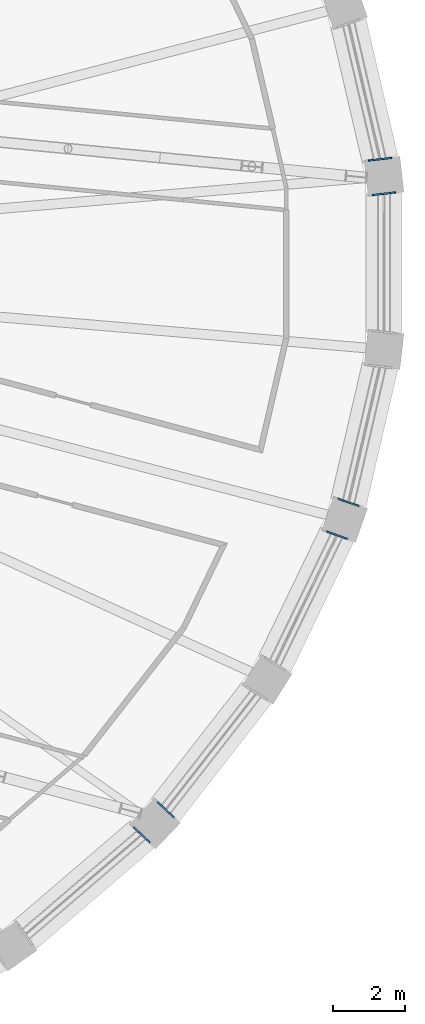
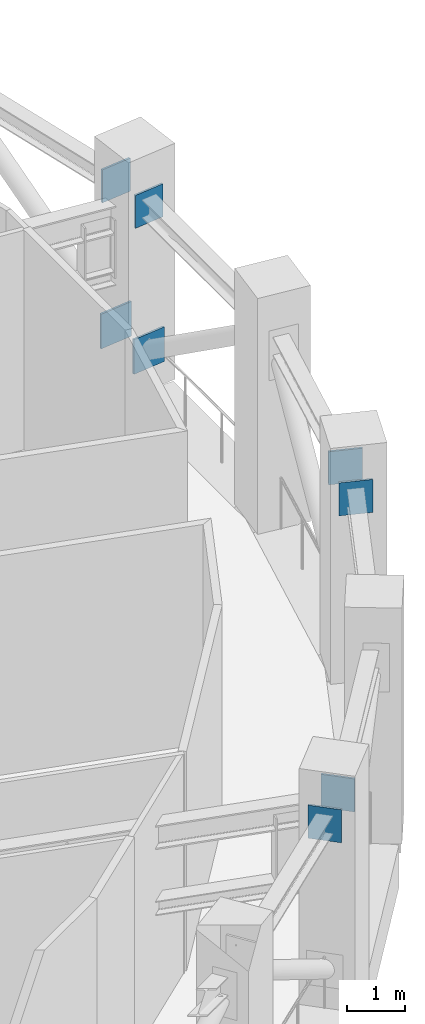
# One storey, part 16 of 20: 8 discrete accessories.
"""IFC4 building model written with IfcOpenShell, lengths in metres."""

from ifc_helpers import new_model, si_unit, direction, frame, origin, origin_2d, place, context, subcontext, project, spatial, rectangle, extrude, material, layer, layer_set, type_object, element, save


model = new_model("IFC4")

# Units and contexts
model_context = context("Model", 3, precision=1e-05, world=origin(), true_north=direction((0.0, 1.0)))
body_context = subcontext(model_context, "Body", "Model", "MODEL_VIEW")
ifc_project = project(units=[si_unit("LENGTHUNIT", "METRE"), si_unit("AREAUNIT", "SQUARE_METRE"), si_unit("VOLUMEUNIT", "CUBIC_METRE"), si_unit("PLANEANGLEUNIT", "RADIAN"), si_unit("MASSUNIT", "GRAM", prefix="KILO")], contexts=[model_context])

# Site, building, storey
site_placement = place(None, origin())
site = spatial("IfcSite", under=ifc_project, at=site_placement, CompositionType="ELEMENT")
building_placement = place(site_placement, origin())
building = spatial("IfcBuilding", under=site, at=building_placement, Name="Halqa Exchange Tower", CompositionType="ELEMENT")
storey_placement = place(building_placement, frame((0.0, 0.0, 328.300048828125)))
storey = spatial("IfcBuildingStorey", under=building, at=storey_placement, Name="L77", CompositionType="ELEMENT", Elevation=328.300048828125)

# Discrete accessories
ifc_material = material(Name="Steel S355", Category="steel")
ifc_layer = layer(ifc_material, 0.0400390625)
ifc_layer_set = layer_set([ifc_layer], Name="Steel S355")
discrete_accessory_type = type_object("IfcDiscreteAccessoryType", Name="Belt truss anchor plate 40", PredefinedType="ANCHORPLATE", material=ifc_layer_set)
discrete_accessory_1_placement = place(storey_placement, frame((28.256591796875, 2.84521484375, 3.89990234375), z_axis=(-0.109762219212, 0.993957873973, 0.0), x_axis=(-0.993957873973, -0.109762219212, 0.0)))
element("IfcDiscreteAccessory", 1, at=discrete_accessory_1_placement, inside=storey, type_object=discrete_accessory_type, Name="Belt truss anchor plate", PredefinedType="ANCHORPLATE", context=body_context, shape_type="SweptSolid", body=[
    extrude(rectangle(XDim=0.60009765625, YDim=0.699951171875, at=origin_2d()), origin(), (0.0, 0.0, 1.0), 0.0400390625),
])
discrete_accessory_2_placement = place(storey_placement, frame((28.361328125, 1.93115234375, 3.89990234375), z_axis=(0.116485527129, -0.993192389202, 0.0), x_axis=(0.993192389202, 0.116485527129, 0.0)))
element("IfcDiscreteAccessory", 2, at=discrete_accessory_2_placement, inside=storey, type_object=discrete_accessory_type, Name="Belt truss anchor plate", PredefinedType="ANCHORPLATE", context=body_context, shape_type="SweptSolid", body=[
    extrude(rectangle(XDim=0.60009765625, YDim=0.699951171875, at=origin_2d()), origin(), (0.0, 0.0, 1.0), 0.039794921875),
])
discrete_accessory_3_placement = place(storey_placement, frame((28.2568359375, 2.84521484375, 0.8349609375), z_axis=(-0.115780500934, 0.993274823804, 0.0), x_axis=(-0.993274823804, -0.115780500934, 0.0)))
element("IfcDiscreteAccessory", 3, at=discrete_accessory_3_placement, inside=storey, type_object=discrete_accessory_type, Name="Belt truss anchor plate", PredefinedType="ANCHORPLATE", context=body_context, shape_type="SweptSolid", body=[
    extrude(rectangle(XDim=0.656005859375, YDim=0.735107421875, at=origin_2d()), origin(), (0.0, 0.0, 1.0), 0.0400390625),
])
discrete_accessory_4_placement = place(storey_placement, frame((28.361328125, 1.93115234375, 0.83740234375), z_axis=(0.116485527129, -0.993192389202, 0.0), x_axis=(0.993192389202, 0.116485527129, 0.0)))
element("IfcDiscreteAccessory", 4, at=discrete_accessory_4_placement, inside=storey, type_object=discrete_accessory_type, Name="Belt truss anchor plate", PredefinedType="ANCHORPLATE", context=body_context, shape_type="SweptSolid", body=[
    extrude(rectangle(XDim=0.656005859375, YDim=0.736083984375, at=origin_2d()), origin(), (0.0, 0.0, 1.0), 0.039794921875),
])
for number, where, z_axis, x_axis, name in (
    (5, (22.314208984375, -15.131591796875, 3.89990234375), (0.691639439628, 0.722242954656, 0.0), (-0.722242954656, 0.691639439628, 0.0), "Belt truss anchor plate"),
    (6, (21.678955078125, -15.79736328125, 3.89990234375), (-0.691639439628, -0.722242954656, 0.0), (0.722242954656, -0.691639439628, 0.0), "Belt truss anchor plate"),
):
    element("IfcDiscreteAccessory", number, at=place(storey_placement, frame(where, z_axis=z_axis, x_axis=x_axis)), inside=storey, type_object=discrete_accessory_type, Name=name, PredefinedType="ANCHORPLATE", context=body_context, shape_type="SweptSolid", body=[
        extrude(rectangle(XDim=0.60009765625, YDim=0.699951171875, at=origin_2d()), origin(), (0.0, 0.0, 1.0), 0.039794921875),
    ])
for number, where, z_axis, x_axis, name in (
    (7, (27.376220703125, -6.639892578125, 3.89990234375), (0.328993186606, 0.944332294887, 0.0), (-0.944332294887, 0.328993186606, 0.0), "Belt truss anchor plate"),
    (8, (27.0703125, -7.50732421875, 3.89990234375), (-0.334409845171, -0.942427745481, 0.0), (0.942427745481, -0.334409845171, 0.0), "Belt truss anchor plate"),
):
    element("IfcDiscreteAccessory", number, at=place(storey_placement, frame(where, z_axis=z_axis, x_axis=x_axis)), inside=storey, type_object=discrete_accessory_type, Name=name, PredefinedType="ANCHORPLATE", context=body_context, shape_type="SweptSolid", body=[
        extrude(rectangle(XDim=0.60009765625, YDim=0.699951171875, at=origin_2d()), origin(), (0.0, 0.0, 1.0), 0.0400390625),
    ])

save(model, "model.ifc")
